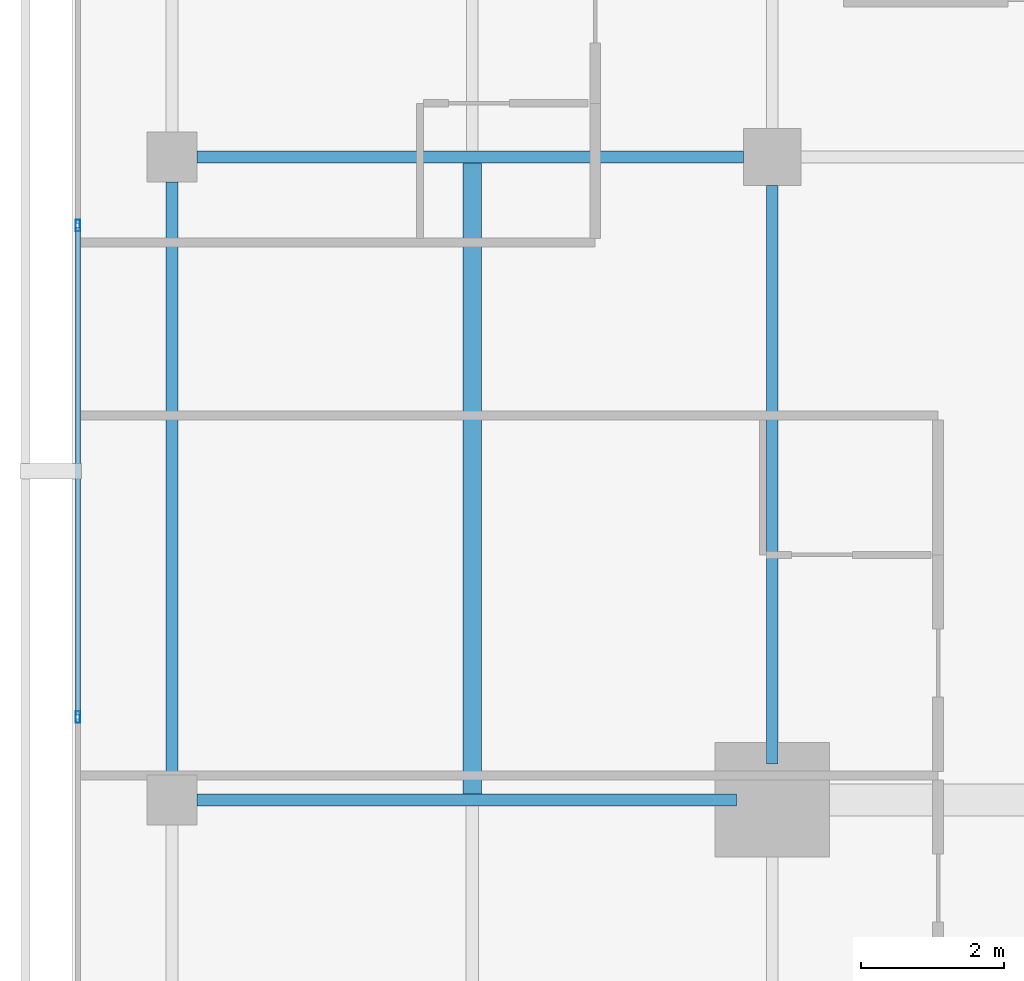
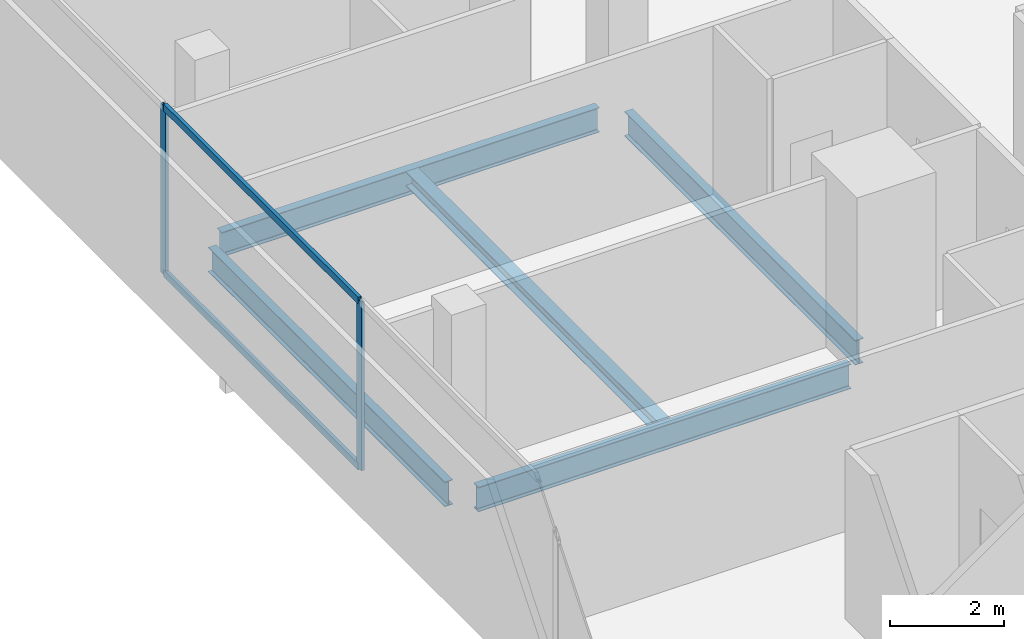
# One storey, part 8 of 26: 5 beams, 4 members, 1 element without a shape of its own.
"""IFC4 building model written with IfcOpenShell, lengths in metres."""

from ifc_helpers import new_model, si_unit, direction, frame, origin, origin_2d, place, context, subcontext, project, spatial, hollow_rectangle, i_section, extrude, material, layer, layer_set, material_profile, profile_set, type_object, element, aggregate, save


model = new_model("IFC4")

# Units and contexts
model_context = context("Model", 3, precision=1e-05, world=origin(), true_north=direction((0.0, 1.0)))
body_context = subcontext(model_context, "Body", "Model", "MODEL_VIEW")
ifc_project = project(units=[si_unit("LENGTHUNIT", "METRE"), si_unit("AREAUNIT", "SQUARE_METRE"), si_unit("VOLUMEUNIT", "CUBIC_METRE"), si_unit("PLANEANGLEUNIT", "RADIAN"), si_unit("MASSUNIT", "GRAM", prefix="KILO")], contexts=[model_context])

# Site, building, storey
site_placement = place(None, origin())
site = spatial("IfcSite", under=ifc_project, at=site_placement, CompositionType="ELEMENT")
building_placement = place(site_placement, origin())
building = spatial("IfcBuilding", under=site, at=building_placement, Name="Maruvema Waterfront Hotel and Observation Tower", CompositionType="ELEMENT")
storey_placement = place(building_placement, frame((0.0, 0.0, 289.449951171875)))
storey = spatial("IfcBuildingStorey", under=building, at=storey_placement, Name="L71", CompositionType="ELEMENT", Elevation=289.449951171875)

# Curtain wall, members
ifc_material_1 = material(Name="Anodised bronze aluminium and solar-control low-E IGU", Category="aluminium")
ifc_layer = layer(ifc_material_1, 0.159912109375, Name="Zone 3 Champagne Inner Thermal Curtain Wall System CW-04")
ifc_layer_set = layer_set([ifc_layer], Name="Anodised bronze aluminium and solar-control low-E IGU")
curtain_wall_type = type_object("IfcCurtainWallType", Name="Zone 3 Champagne Inner Thermal Curtain Wall System CW-04", PredefinedType="USERDEFINED", material=ifc_layer_set)
curtain_wall_placement = place(storey_placement, origin())
curtain_wall = element("IfcCurtainWall", 1, at=curtain_wall_placement, inside=storey, type_object=curtain_wall_type, Name="L71 Curtain Wall CW-L71-W", ObjectType="UNITISED CURTAIN WALL", PredefinedType="USERDEFINED")
ifc_material_2 = material(Name="Anodised architectural bronze aluminium", Category="aluminium")
ifc_material_profile_1 = material_profile(ifc_material_2, hollow_rectangle(XDim=0.070068359375, YDim=0.14990234375, WallThickness=0.00390625, at=origin_2d()), Name="ALU-T70x150")
ifc_profile_set_1 = profile_set([ifc_material_profile_1], Name="Anodised architectural bronze aluminium")
member_type_1 = type_object("IfcMemberType", Name="Curtain Wall Horizontal Transom ALU-T70x150", PredefinedType="USERDEFINED", material=ifc_profile_set_1)
member_1_placement = place(storey_placement, frame((15.47998046875, 35.010009765625, 0.030029296875), z_axis=(0.0, -1.0, 0.0), x_axis=(1.0, 0.0, 0.0)))
member_1 = element("IfcMember", 2, at=member_1_placement, type_object=member_type_1, Name="CW-04 transom 3.1", ObjectType="TRANSOM", PredefinedType="USERDEFINED", context=body_context, shape_type="SweptSolid", body=[
    extrude(hollow_rectangle(XDim=0.070068359375, YDim=0.14990234375, WallThickness=0.00390625, at=origin_2d()), origin(), (0.0, 0.0, 1.0), 6.820068359375),
])
member_2_placement = place(storey_placement, frame((15.47998046875, 35.010009765625, 3.580078125), z_axis=(0.0, -1.0, 0.0), x_axis=(1.0, 0.0, 0.0)))
member_2 = element("IfcMember", 3, at=member_2_placement, type_object=member_type_1, Name="CW-04 transom 3.2", ObjectType="TRANSOM", PredefinedType="USERDEFINED", context=body_context, shape_type="SweptSolid", body=[
    extrude(hollow_rectangle(XDim=0.070068359375, YDim=0.14990234375, WallThickness=0.00390625, at=origin_2d()), origin(), (0.0, 0.0, 1.0), 6.820068359375),
])
ifc_material_3 = material(Name="Anodised architectural bronze aluminium", Category="aluminium")
ifc_material_profile_2 = material_profile(ifc_material_3, hollow_rectangle(XDim=0.06494140625, YDim=0.1650390625, WallThickness=0.00390625, at=origin_2d()), Name="ALU-M65x165")
ifc_profile_set_2 = profile_set([ifc_material_profile_2], Name="Anodised architectural bronze aluminium")
member_type_2 = type_object("IfcMemberType", Name="Curtain Wall Primary Mullion ALU-M65x165", PredefinedType="MULLION", material=ifc_profile_set_2)
member_3_placement = place(storey_placement, frame((15.47998046875, 35.0400390625, 0.0), z_axis=(0.0, 0.0, 1.0), x_axis=(1.0, 0.0, 0.0)))
member_3 = element("IfcMember", 4, at=member_3_placement, type_object=member_type_2, Name="CW-04 mullion 3", PredefinedType="MULLION", context=body_context, shape_type="SweptSolid", body=[
    extrude(hollow_rectangle(XDim=0.06494140625, YDim=0.1650390625, WallThickness=0.00390625, at=origin_2d()), origin(), (0.0, 0.0, 1.0), 3.610107421875),
])
member_4_placement = place(storey_placement, frame((15.47998046875, 28.159912109375, 0.0), z_axis=(0.0, 0.0, 1.0), x_axis=(1.0, 0.0, 0.0)))
member_4 = element("IfcMember", 5, at=member_4_placement, type_object=member_type_2, Name="CW-04 mullion 4", PredefinedType="MULLION", context=body_context, shape_type="SweptSolid", body=[
    extrude(hollow_rectangle(XDim=0.06494140625, YDim=0.1650390625, WallThickness=0.00390625, at=origin_2d()), origin(), (0.0, 0.0, 1.0), 3.610107421875),
])
aggregate(curtain_wall, [member_3, member_4, member_1, member_2])

# Beams
ifc_material_4 = material(Name="Steel ASTM A572 Grade 50", Category="steel")
ifc_material_profile_3 = material_profile(ifc_material_4, i_section(OverallWidth=0.166015625, OverallDepth=0.529052734375, WebThickness=0.009765625, FlangeThickness=0.013671875, FilletRadius=0.014892578125, at=origin_2d()), Name="W530x74.0")
ifc_profile_set_3 = profile_set([ifc_material_profile_3], Name="Steel ASTM A572 Grade 50")
beam_type_1 = type_object("IfcBeamType", Name="Primary Floor Girder W530x74.0", PredefinedType="BEAM", material=ifc_profile_set_3)
beam_1_placement = place(storey_placement, frame((17.14990234375, 27.0, -0.50439453125), z_axis=(1.0, 0.0, 0.0), x_axis=(0.0, 1.0, 0.0)))
element("IfcBeam", 6, at=beam_1_placement, inside=storey, type_object=beam_type_1, Name="L71 Floor Girder EW-09", PredefinedType="BEAM", context=body_context, shape_type="SweptSolid", body=[
    extrude(i_section(OverallWidth=0.166015625, OverallDepth=0.529052734375, WebThickness=0.009765625, FlangeThickness=0.013671875, FilletRadius=0.014892578125, at=origin_2d()), origin(), (0.0, 0.0, 1.0), 7.550048828125),
])
beam_2_placement = place(storey_placement, frame((17.14990234375, 36.0, -0.50439453125), z_axis=(1.0, 0.0, 0.0), x_axis=(0.0, 1.0, 0.0)))
element("IfcBeam", 7, at=beam_2_placement, inside=storey, type_object=beam_type_1, Name="L71 Floor Girder EW-12", PredefinedType="BEAM", context=body_context, shape_type="SweptSolid", body=[
    extrude(i_section(OverallWidth=0.166015625, OverallDepth=0.529052734375, WebThickness=0.009765625, FlangeThickness=0.013671875, FilletRadius=0.014892578125, at=origin_2d()), origin(), (0.0, 0.0, 1.0), 7.650146484375),
])
beam_3_placement = place(storey_placement, frame((16.800048828125, 27.35009765625, -0.50439453125), z_axis=(0.0, 1.0, 0.0), x_axis=(-1.0, 0.0, 0.0)))
element("IfcBeam", 8, at=beam_3_placement, inside=storey, type_object=beam_type_1, Name="L71 Floor Girder NS-02", PredefinedType="BEAM", context=body_context, shape_type="SweptSolid", body=[
    extrude(i_section(OverallWidth=0.166015625, OverallDepth=0.529052734375, WebThickness=0.009765625, FlangeThickness=0.013671875, FilletRadius=0.014892578125, at=origin_2d()), origin(), (0.0, 0.0, 1.0), 8.2998046875),
])
beam_4_placement = place(storey_placement, frame((25.199951171875, 27.5, -0.50439453125), z_axis=(0.0, 1.0, 0.0), x_axis=(-1.0, 0.0, 0.0)))
element("IfcBeam", 9, at=beam_4_placement, inside=storey, type_object=beam_type_1, Name="L71 Floor Girder NS-06", PredefinedType="BEAM", context=body_context, shape_type="SweptSolid", body=[
    extrude(i_section(OverallWidth=0.166015625, OverallDepth=0.529052734375, WebThickness=0.009765625, FlangeThickness=0.013671875, FilletRadius=0.014892578125, at=origin_2d()), origin(), (0.0, 0.0, 1.0), 8.10009765625),
])
ifc_material_5 = material(Name="Steel ASTM A572 Grade 50", Category="steel")
ifc_material_profile_4 = material_profile(ifc_material_5, i_section(OverallWidth=0.25390625, OverallDepth=0.305908203125, WebThickness=0.0087890625, FlangeThickness=0.0146484375, FilletRadius=0.014892578125, at=origin_2d()), Name="W310x79.0")
ifc_profile_set_4 = profile_set([ifc_material_profile_4], Name="Steel ASTM A572 Grade 50")
beam_type_2 = type_object("IfcBeamType", Name="Secondary Floor Joist W310x79.0", PredefinedType="JOIST", material=ifc_profile_set_4)
beam_5_placement = place(storey_placement, frame((21.0, 27.0830078125, -0.39306640625), z_axis=(0.0, 1.0, 0.0), x_axis=(-1.0, 0.0, 0.0)))
element("IfcBeam", 10, at=beam_5_placement, inside=storey, type_object=beam_type_2, Name="L71 Secondary Floor Joist JS-02", PredefinedType="JOIST", context=body_context, shape_type="SweptSolid", body=[
    extrude(i_section(OverallWidth=0.25390625, OverallDepth=0.305908203125, WebThickness=0.0087890625, FlangeThickness=0.0146484375, FilletRadius=0.014892578125, at=origin_2d()), origin(), (0.0, 0.0, 1.0), 8.833984375),
])

save(model, "model.ifc")
